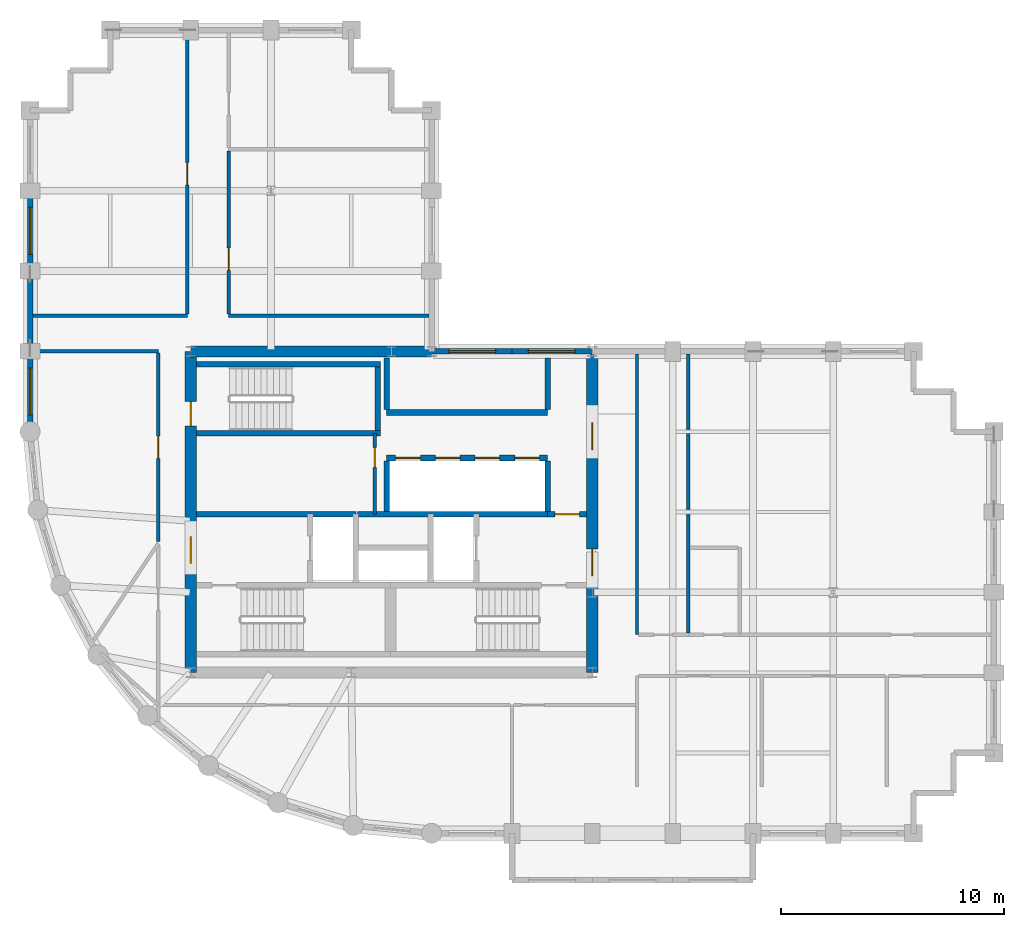
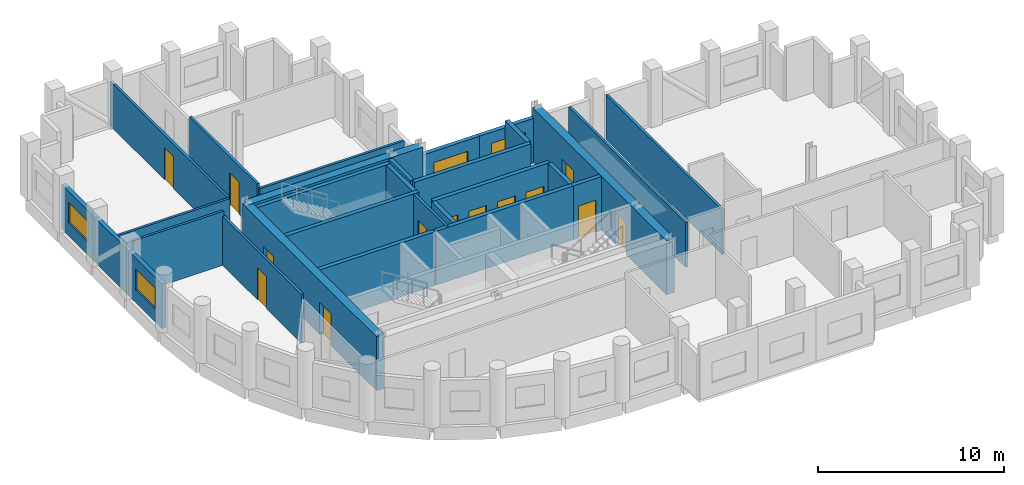
# One storey, part 4 of 7: 29 walls, 13 doors, 4 windows, 17 openings.
"""IFC4 building model written with IfcOpenShell, lengths in metres."""

from ifc_helpers import new_model, si_unit, direction, frame, frame_2d, origin, place, context, subcontext, project, spatial, rectangle, extrude, material, layer, layer_set, type_object, element, fill, save


model = new_model("IFC4")

# Units and contexts
model_context = context("Model", 3, precision=1e-05, world=origin(), true_north=direction((0.0, 1.0)))
body_context = subcontext(model_context, "Body", "Model", "MODEL_VIEW")
ifc_project = project(units=[si_unit("LENGTHUNIT", "METRE"), si_unit("AREAUNIT", "SQUARE_METRE"), si_unit("VOLUMEUNIT", "CUBIC_METRE"), si_unit("PLANEANGLEUNIT", "RADIAN"), si_unit("MASSUNIT", "GRAM", prefix="KILO")], contexts=[model_context])

# Site, building, storey
site_placement = place(None, origin())
site = spatial("IfcSite", under=ifc_project, at=site_placement, CompositionType="ELEMENT")
building_placement = place(site_placement, origin())
building = spatial("IfcBuilding", under=site, at=building_placement, Name="Solnavia Interchange Tower", CompositionType="ELEMENT")
storey_placement = place(building_placement, frame((0.0, 0.0, 201.39990234375)))
storey = spatial("IfcBuildingStorey", under=building, at=storey_placement, Name="L50", CompositionType="ELEMENT", Elevation=201.39990234375)

# Wall, opening, window
ifc_material_1 = material(Name="Concrete C40/50", Category="concrete")
ifc_layer_1 = layer(ifc_material_1, 0.25)
ifc_layer_set_1 = layer_set([ifc_layer_1], Name="Concrete C40/50")
wall_type_1 = type_object("IfcWallType", Name="Wall-ExtSpandrel-250", PredefinedType="STANDARD", material=ifc_layer_set_1)
wall_1_placement = place(storey_placement, frame((28.800048828125, 25.199951171875, 0.0), z_axis=(0.0, 0.0, 1.0), x_axis=(1.0, 0.0, 0.0)))
wall_1 = element("IfcWall", 1, at=wall_1_placement, inside=storey, type_object=wall_type_1, Name="EXW-L50-25 Exterior precast spandrel wall", PredefinedType="STANDARD", context=body_context, shape_type="SweptSolid", body=[
    extrude(rectangle(XDim=3.599853515625, YDim=0.25, at=frame_2d((1.7998046875, 0.0))), origin(), (0.0, 0.0, 1.0), 2.93017578125),
])
opening_1_placement = place(wall_1_placement, frame((0.73388671875, 0.0, 0.85009765625)))
opening_1 = element("IfcOpeningElement", 2, at=opening_1_placement, cuts=wall_1, Name="Opening WIN-01", PredefinedType="OPENING", context=body_context, shape_type="SweptSolid", body=[
    extrude(rectangle(XDim=2.10009765625, YDim=1.35009765625, at=frame_2d((1.050048828125, 0.675048828125))), frame((0.0, 0.135009765625, 0.0), z_axis=(0.0, -1.0, 0.0), x_axis=(1.0, 0.0, 0.0)), (0.0, 0.0, 1.0), 0.27001953125),
])
ifc_material_2 = material(Name="Thermal-Break Aluminium & Low-E Glass", Category="aluminium")
window_type = type_object("IfcWindowType", Name="Window-Ribbon-2100x1350", PartitioningType="SINGLE_PANEL", PredefinedType="WINDOW", material=ifc_material_2)
window_1_placement = place(opening_1_placement, origin())
window_1 = element("IfcWindow", 3, at=window_1_placement, inside=storey, type_object=window_type, Name="WIN-L50-25 Facade ribbon window", OverallHeight=1.35009765625, OverallWidth=2.10009765625, PartitioningType="SINGLE_PANEL", PredefinedType="WINDOW", context=body_context, shape_type="SweptSolid", body=[
    extrude(rectangle(XDim=2.10009765625, YDim=1.35009765625, at=frame_2d((1.050048828125, 0.675048828125))), frame((0.0, 0.030029296875, 0.0), z_axis=(0.0, -1.0, 0.0), x_axis=(1.0, 0.0, 0.0)), (0.0, 0.0, 1.0), 0.06005859375),
])
fill(opening_1, window_1)

wall_2_placement = place(storey_placement, frame((25.199951171875, 25.199951171875, 0.0), z_axis=(0.0, 0.0, 1.0), x_axis=(1.0, 0.0, 0.0)))
wall_2 = element("IfcWall", 4, at=wall_2_placement, inside=storey, type_object=wall_type_1, Name="EXW-L50-26 Exterior precast spandrel wall", PredefinedType="STANDARD", context=body_context, shape_type="SweptSolid", body=[
    extrude(rectangle(XDim=3.60009765625, YDim=0.25, at=frame_2d((1.800048828125, 0.0))), origin(), (0.0, 0.0, 1.0), 2.93017578125),
])
opening_2_placement = place(wall_2_placement, frame((0.76611328125, 0.0, 0.85009765625)))
opening_2 = element("IfcOpeningElement", 5, at=opening_2_placement, cuts=wall_2, Name="Opening WIN-01", PredefinedType="OPENING", context=body_context, shape_type="SweptSolid", body=[
    extrude(rectangle(XDim=2.10009765625, YDim=1.35009765625, at=frame_2d((1.050048828125, 0.675048828125))), frame((0.0, 0.135009765625, 0.0), z_axis=(0.0, -1.0, 0.0), x_axis=(1.0, 0.0, 0.0)), (0.0, 0.0, 1.0), 0.27001953125),
])
window_2_placement = place(opening_2_placement, origin())
window_2 = element("IfcWindow", 6, at=window_2_placement, inside=storey, type_object=window_type, Name="WIN-L50-26 Facade ribbon window", OverallHeight=1.35009765625, OverallWidth=2.10009765625, PartitioningType="SINGLE_PANEL", PredefinedType="WINDOW", context=body_context, shape_type="SweptSolid", body=[
    extrude(rectangle(XDim=2.10009765625, YDim=1.35009765625, at=frame_2d((1.050048828125, 0.675048828125))), frame((0.0, 0.030029296875, 0.0), z_axis=(0.0, -1.0, 0.0), x_axis=(1.0, 0.0, 0.0)), (0.0, 0.0, 1.0), 0.06005859375),
])
fill(opening_2, window_2)

wall_3_placement = place(storey_placement, frame((7.199951171875, 28.800048828125, 0.0), z_axis=(0.0, 0.0, 1.0), x_axis=(0.0, 1.0, 0.0)))
wall_3 = element("IfcWall", 7, at=wall_3_placement, inside=storey, type_object=wall_type_1, Name="EXW-L50-42 Exterior precast spandrel wall", PredefinedType="STANDARD", context=body_context, shape_type="SweptSolid", body=[
    extrude(rectangle(XDim=3.599853515625, YDim=0.25, at=frame_2d((1.7998046875, 0.0))), origin(), (0.0, 0.0, 1.0), 2.93017578125),
])
opening_3_placement = place(wall_3_placement, frame((0.75, 0.0, 0.85009765625)))
opening_3 = element("IfcOpeningElement", 8, at=opening_3_placement, cuts=wall_3, Name="Opening WIN-01", PredefinedType="OPENING", context=body_context, shape_type="SweptSolid", body=[
    extrude(rectangle(XDim=2.10009765625, YDim=1.35009765625, at=frame_2d((1.050048828125, 0.675048828125))), frame((0.0, 0.135009765625, 0.0), z_axis=(0.0, -1.0, 0.0), x_axis=(1.0, 0.0, 0.0)), (0.0, 0.0, 1.0), 0.27001953125),
])
window_3_placement = place(opening_3_placement, origin())
window_3 = element("IfcWindow", 9, at=window_3_placement, inside=storey, type_object=window_type, Name="WIN-L50-42 Facade ribbon window", OverallHeight=1.35009765625, OverallWidth=2.10009765625, PartitioningType="SINGLE_PANEL", PredefinedType="WINDOW", context=body_context, shape_type="SweptSolid", body=[
    extrude(rectangle(XDim=2.10009765625, YDim=1.35009765625, at=frame_2d((1.050048828125, 0.675048828125))), frame((0.0, 0.030029296875, 0.0), z_axis=(0.0, -1.0, 0.0), x_axis=(1.0, 0.0, 0.0)), (0.0, 0.0, 1.0), 0.06005859375),
])
fill(opening_3, window_3)

# Wall
wall_4_placement = place(storey_placement, frame((7.199951171875, 25.199951171875, 0.0), z_axis=(0.0, 0.0, 1.0), x_axis=(0.0, 1.0, 0.0)))
element("IfcWall", 10, at=wall_4_placement, inside=storey, type_object=wall_type_1, Name="EXW-L50-43 Exterior precast spandrel wall", PredefinedType="STANDARD", context=body_context, shape_type="SweptSolid", body=[
    extrude(rectangle(XDim=3.60009765625, YDim=0.25, at=frame_2d((1.800048828125, 0.0))), origin(), (0.0, 0.0, 1.0), 2.93017578125),
])

# Wall, opening, window
wall_5_placement = place(storey_placement, frame((7.199951171875, 21.60009765625, 0.0), z_axis=(0.0, 0.0, 1.0), x_axis=(0.0, 1.0, 0.0)))
wall_5 = element("IfcWall", 11, at=wall_5_placement, inside=storey, type_object=wall_type_1, Name="EXW-L50-44 Exterior precast spandrel wall", PredefinedType="STANDARD", context=body_context, shape_type="SweptSolid", body=[
    extrude(rectangle(XDim=3.599853515625, YDim=0.25, at=frame_2d((1.7998046875, 0.0))), origin(), (0.0, 0.0, 1.0), 2.93017578125),
])
opening_4_placement = place(wall_5_placement, frame((0.75, 0.0, 0.85009765625)))
opening_4 = element("IfcOpeningElement", 12, at=opening_4_placement, cuts=wall_5, Name="Opening WIN-01", PredefinedType="OPENING", context=body_context, shape_type="SweptSolid", body=[
    extrude(rectangle(XDim=2.10009765625, YDim=1.35009765625, at=frame_2d((1.050048828125, 0.675048828125))), frame((0.0, 0.135009765625, 0.0), z_axis=(0.0, -1.0, 0.0), x_axis=(1.0, 0.0, 0.0)), (0.0, 0.0, 1.0), 0.27001953125),
])
window_4_placement = place(opening_4_placement, origin())
window_4 = element("IfcWindow", 13, at=window_4_placement, inside=storey, type_object=window_type, Name="WIN-L50-44 Facade ribbon window", OverallHeight=1.35009765625, OverallWidth=2.10009765625, PartitioningType="SINGLE_PANEL", PredefinedType="WINDOW", context=body_context, shape_type="SweptSolid", body=[
    extrude(rectangle(XDim=2.10009765625, YDim=1.35009765625, at=frame_2d((1.050048828125, 0.675048828125))), frame((0.0, 0.030029296875, 0.0), z_axis=(0.0, -1.0, 0.0), x_axis=(1.0, 0.0, 0.0)), (0.0, 0.0, 1.0), 0.06005859375),
])
fill(opening_4, window_4)

# Wall, opening, door
ifc_material_3 = material(Name="Gypsum Plasterboard & Steel Stud", Category="steel")
ifc_layer_2 = layer(ifc_material_3, 0.14990234375)
ifc_layer_set_2 = layer_set([ifc_layer_2], Name="Gypsum Plasterboard & Steel Stud")
wall_type_2 = type_object("IfcWallType", Name="Wall-Partition-150", PredefinedType="PARTITIONING", material=ifc_layer_set_2)
wall_6_placement = place(storey_placement, frame((22.64990234375, 17.89990234375, 0.0), z_axis=(0.0, 0.0, 1.0), x_axis=(0.0, 1.0, 0.0)))
wall_6 = element("IfcWall", 14, at=wall_6_placement, inside=storey, type_object=wall_type_2, Name="CSW-L50-E Core shaft wall", PredefinedType="PARTITIONING", context=body_context, shape_type="SweptSolid", body=[
    extrude(rectangle(XDim=3.625, YDim=0.14990234375, at=frame_2d((1.8125, 0.0))), origin(), (0.0, 0.0, 1.0), 3.53515625),
])
opening_5_placement = place(wall_6_placement, frame((2.10009765625, 0.0, 0.0)))
opening_5 = element("IfcOpeningElement", 15, at=opening_5_placement, cuts=wall_6, Name="Opening DR-09", PredefinedType="OPENING", context=body_context, shape_type="SweptSolid", body=[
    extrude(rectangle(XDim=0.89990234375, YDim=2.10009765625, at=frame_2d((0.449951171875, 1.050048828125))), frame((0.0, 0.0849609375, 0.0), z_axis=(0.0, -1.0, 0.0), x_axis=(1.0, 0.0, 0.0)), (0.0, 0.0, 1.0), 0.169921875),
])
ifc_material_4 = material(Name="Engineered Oak Veneer Door", Category="wood")
door_type_1 = type_object("IfcDoorType", Name="Door-Internal-900x2100", OperationType="SINGLE_SWING_LEFT", PredefinedType="DOOR", material=ifc_material_4)
door_1_placement = place(opening_5_placement, origin())
door_1 = element("IfcDoor", 16, at=door_1_placement, inside=storey, type_object=door_type_1, Name="DR-L50-CS1 Core fire door", OperationType="SINGLE_SWING_LEFT", OverallHeight=2.10009765625, OverallWidth=0.89990234375, PredefinedType="DOOR", context=body_context, shape_type="SweptSolid", body=[
    extrude(rectangle(XDim=0.89990234375, YDim=2.10009765625, at=frame_2d((0.449951171875, 1.050048828125))), frame((0.0, 0.02490234375, 0.0), z_axis=(0.0, -1.0, 0.0), x_axis=(1.0, 0.0, 0.0)), (0.0, 0.0, 1.0), 0.050048828125),
])
fill(opening_5, door_1)

# Wall
wall_7_placement = place(storey_placement, frame((7.3291015625, 25.199951171875, 0.0), z_axis=(0.0, 0.0, 1.0), x_axis=(1.0, 0.0, 0.0)))
element("IfcWall", 17, at=wall_7_placement, inside=storey, type_object=wall_type_2, Name="PTW-L50-07 Interior partition wall", PredefinedType="PARTITIONING", context=body_context, shape_type="SweptSolid", body=[
    extrude(rectangle(XDim=5.620849609375, YDim=0.14990234375, at=frame_2d((2.810546875, 0.0))), origin(), (0.0, 0.0, 1.0), 3.53515625),
])

# Wall, opening, door
wall_8_placement = place(storey_placement, frame((12.949951171875, 16.678955078125, 0.0), z_axis=(0.0, 0.0, 1.0), x_axis=(0.0, 1.0, 0.0)))
wall_8 = element("IfcWall", 18, at=wall_8_placement, inside=storey, type_object=wall_type_2, Name="PTW-L50-11 Interior partition wall", PredefinedType="PARTITIONING", context=body_context, shape_type="SweptSolid", body=[
    extrude(rectangle(XDim=8.442138671875, YDim=0.14990234375, at=frame_2d((4.22119140625, 0.0))), origin(), (0.0, 0.0, 1.0), 3.22021484375),
])
opening_6_placement = place(wall_8_placement, frame((3.720947265625, 0.0, 0.0)))
opening_6 = element("IfcOpeningElement", 19, at=opening_6_placement, cuts=wall_8, Name="Opening DR-07", PredefinedType="OPENING", context=body_context, shape_type="SweptSolid", body=[
    extrude(rectangle(XDim=1.0, YDim=2.10009765625, at=frame_2d((0.5, 1.050048828125))), frame((0.0, 0.0849609375, 0.0), z_axis=(0.0, -1.0, 0.0), x_axis=(1.0, 0.0, 0.0)), (0.0, 0.0, 1.0), 0.169921875),
])
ifc_material_5 = material(Name="Timber & Acoustic Glazed Office Door", Category="wood")
door_type_2 = type_object("IfcDoorType", Name="Door-Office-1000x2100", OperationType="SINGLE_SWING_RIGHT", PredefinedType="DOOR", material=ifc_material_5)
door_2_placement = place(opening_6_placement, origin())
door_2 = element("IfcDoor", 20, at=door_2_placement, inside=storey, type_object=door_type_2, Name="DR-L50-03 Interior room door", OperationType="SINGLE_SWING_LEFT", OverallHeight=2.10009765625, OverallWidth=1.0, PredefinedType="DOOR", context=body_context, shape_type="SweptSolid", body=[
    extrude(rectangle(XDim=1.0, YDim=2.10009765625, at=frame_2d((0.5, 1.050048828125))), frame((0.0, 0.02490234375, 0.0), z_axis=(0.0, -1.0, 0.0), x_axis=(1.0, 0.0, 0.0)), (0.0, 0.0, 1.0), 0.050048828125),
])
fill(opening_6, door_2)

# Wall
wall_9_placement = place(storey_placement, frame((7.3291015625, 26.800048828125, 0.0), z_axis=(0.0, 0.0, 1.0), x_axis=(1.0, 0.0, 0.0)))
element("IfcWall", 21, at=wall_9_placement, inside=storey, type_object=wall_type_2, Name="PTW-L50-22 Interior partition wall", PredefinedType="PARTITIONING", context=body_context, shape_type="SweptSolid", body=[
    extrude(rectangle(XDim=6.9208984375, YDim=0.14990234375, at=frame_2d((3.46044921875, 0.0))), origin(), (0.0, 0.0, 1.0), 2.93017578125),
])

# Wall, opening, door
wall_10_placement = place(storey_placement, frame((14.25, 26.87890625, 0.0), z_axis=(0.0, 0.0, 1.0), x_axis=(0.0, 1.0, 0.0)))
wall_10 = element("IfcWall", 22, at=wall_10_placement, inside=storey, type_object=wall_type_2, Name="PTW-L50-23 Interior partition wall", PredefinedType="PARTITIONING", context=body_context, shape_type="SweptSolid", body=[
    extrude(rectangle(XDim=12.592041015625, YDim=0.14990234375, at=frame_2d((6.2958984375, 0.0))), origin(), (0.0, 0.0, 1.0), 2.93017578125),
])
opening_7_placement = place(wall_10_placement, frame((5.781005859375, 0.0, 0.0)))
opening_7 = element("IfcOpeningElement", 23, at=opening_7_placement, cuts=wall_10, Name="Opening DR-07", PredefinedType="OPENING", context=body_context, shape_type="SweptSolid", body=[
    extrude(rectangle(XDim=1.0, YDim=2.10009765625, at=frame_2d((0.5, 1.050048828125))), frame((0.0, 0.0849609375, 0.0), z_axis=(0.0, -1.0, 0.0), x_axis=(1.0, 0.0, 0.0)), (0.0, 0.0, 1.0), 0.169921875),
])
door_3_placement = place(opening_7_placement, origin())
door_3 = element("IfcDoor", 24, at=door_3_placement, inside=storey, type_object=door_type_2, Name="DR-L50-11 Interior room door", OperationType="SINGLE_SWING_RIGHT", OverallHeight=2.10009765625, OverallWidth=1.0, PredefinedType="DOOR", context=body_context, shape_type="SweptSolid", body=[
    extrude(rectangle(XDim=1.0, YDim=2.10009765625, at=frame_2d((0.5, 1.050048828125))), frame((0.0, 0.02490234375, 0.0), z_axis=(0.0, -1.0, 0.0), x_axis=(1.0, 0.0, 0.0)), (0.0, 0.0, 1.0), 0.050048828125),
])
fill(opening_7, door_3)

# Wall
wall_11_placement = place(storey_placement, frame((16.10009765625, 26.800048828125, 0.0), z_axis=(0.0, 0.0, 1.0), x_axis=(1.0, 0.0, 0.0)))
element("IfcWall", 25, at=wall_11_placement, inside=storey, type_object=wall_type_2, Name="PTW-L50-24 Interior partition wall", PredefinedType="PARTITIONING", context=body_context, shape_type="SweptSolid", body=[
    extrude(rectangle(XDim=8.970947265625, YDim=0.14990234375, at=frame_2d((4.4853515625, 0.0))), origin(), (0.0, 0.0, 1.0), 2.93017578125),
])

# Wall, opening, door
wall_12_placement = place(storey_placement, frame((16.10009765625, 26.87890625, 0.0), z_axis=(0.0, 0.0, 1.0), x_axis=(0.0, 1.0, 0.0)))
wall_12 = element("IfcWall", 26, at=wall_12_placement, inside=storey, type_object=wall_type_2, Name="PTW-L50-26 Interior partition wall", PredefinedType="PARTITIONING", context=body_context, shape_type="SweptSolid", body=[
    extrude(rectangle(XDim=7.2919921875, YDim=0.14990234375, at=frame_2d((3.64599609375, 0.0))), origin(), (0.0, 0.0, 1.0), 3.170166015625),
])
opening_8_placement = place(wall_12_placement, frame((1.951904296875, 0.0, 0.0)))
opening_8 = element("IfcOpeningElement", 27, at=opening_8_placement, cuts=wall_12, Name="Opening DR-07", PredefinedType="OPENING", context=body_context, shape_type="SweptSolid", body=[
    extrude(rectangle(XDim=1.0, YDim=2.10009765625, at=frame_2d((0.5, 1.050048828125))), frame((0.0, 0.0849609375, 0.0), z_axis=(0.0, -1.0, 0.0), x_axis=(1.0, 0.0, 0.0)), (0.0, 0.0, 1.0), 0.169921875),
])
door_4_placement = place(opening_8_placement, origin())
door_4 = element("IfcDoor", 28, at=door_4_placement, inside=storey, type_object=door_type_2, Name="DR-L50-12 Interior room door", OperationType="SINGLE_SWING_LEFT", OverallHeight=2.10009765625, OverallWidth=1.0, PredefinedType="DOOR", context=body_context, shape_type="SweptSolid", body=[
    extrude(rectangle(XDim=1.0, YDim=2.10009765625, at=frame_2d((0.5, 1.050048828125))), frame((0.0, 0.02490234375, 0.0), z_axis=(0.0, -1.0, 0.0), x_axis=(1.0, 0.0, 0.0)), (0.0, 0.0, 1.0), 0.050048828125),
])
fill(opening_8, door_4)

# Walls
ifc_layer_3 = layer(ifc_material_1, 0.25)
ifc_layer_set_3 = layer_set([ifc_layer_3], Name="Concrete C40/50")
wall_type_3 = type_object("IfcWallType", Name="Wall-ShaftCore-250", PredefinedType="SHEAR", material=ifc_layer_set_3)
for number, where, z_axis, x_axis, name in (
    (29, (14.64990234375, 21.52490234375, 0.0), (0.0, 0.0, 1.0), (1.0, 0.0, 0.0), "SHW-L50-ST3S Core shear wall"),
    (30, (14.64990234375, 24.614990234375, 0.0), (0.0, 0.0, 1.0), (1.0, 0.0, 0.0), "SHW-L50-ST3N Core shear wall"),
):
    element("IfcWall", number, at=place(storey_placement, frame(where, z_axis=z_axis, x_axis=x_axis)), inside=storey, type_object=wall_type_3, Name=name, PredefinedType="SHEAR", context=body_context, shape_type="SweptSolid", body=[
        extrude(rectangle(XDim=8.25, YDim=0.25, at=frame_2d((4.125, 0.0))), origin(), (0.0, 0.0, 1.0), 3.550048828125),
    ])
wall_13_placement = place(storey_placement, frame((22.77490234375, 21.64990234375, 0.0), z_axis=(0.0, 0.0, 1.0), x_axis=(0.0, 1.0, 0.0)))
element("IfcWall", 31, at=wall_13_placement, inside=storey, type_object=wall_type_3, Name="SHW-L50-ST3E Core shear wall", PredefinedType="SHEAR", context=body_context, shape_type="SweptSolid", body=[
    extrude(rectangle(XDim=2.840087890625, YDim=0.25, at=frame_2d((1.419921875, 0.0))), origin(), (0.0, 0.0, 1.0), 3.550048828125),
])
ifc_layer_4 = layer(ifc_material_1, 0.25)
ifc_layer_set_4 = layer_set([ifc_layer_4], Name="Concrete C40/50")
wall_type_4 = type_object("IfcWallType", Name="Wall-ShaftPart-250", PredefinedType="PARTITIONING", material=ifc_layer_set_4)
wall_14_placement = place(storey_placement, frame((14.64990234375, 17.89990234375, 0.0), z_axis=(0.0, 0.0, 1.0), x_axis=(1.0, 0.0, 0.0)))
element("IfcWall", 32, at=wall_14_placement, inside=storey, type_object=wall_type_4, Name="SHW-L50-FFLW-N Core shaft wall", PredefinedType="PARTITIONING", context=body_context, shape_type="SweptSolid", body=[
    extrude(rectangle(XDim=7.150146484375, YDim=0.25, at=frame_2d((3.5751953125, 0.0))), origin(), (0.0, 0.0, 1.0), 3.53515625),
])
wall_15_placement = place(storey_placement, frame((21.8798828125, 17.89990234375, 0.0), z_axis=(0.0, 0.0, 1.0), x_axis=(1.0, 0.0, 0.0)))
element("IfcWall", 33, at=wall_15_placement, inside=storey, type_object=wall_type_4, Name="SHW-L50-FFLE-N1 Core shaft wall", PredefinedType="PARTITIONING", context=body_context, shape_type="SweptSolid", body=[
    extrude(rectangle(XDim=8.52001953125, YDim=0.25, at=frame_2d((4.260009765625, 0.0))), origin(), (0.0, 0.0, 1.0), 3.53515625),
])

# Wall, opening, door
wall_16_placement = place(storey_placement, frame((30.39990234375, 17.89990234375, 0.0), z_axis=(0.0, 0.0, 1.0), x_axis=(1.0, 0.0, 0.0)))
wall_16 = element("IfcWall", 34, at=wall_16_placement, inside=storey, type_object=wall_type_4, Name="SHW-L50-FFLE-N2 Core shaft wall", PredefinedType="PARTITIONING", context=body_context, shape_type="SweptSolid", body=[
    extrude(rectangle(XDim=1.75, YDim=0.25, at=frame_2d((0.875, 0.0))), origin(), (0.0, 0.0, 1.0), 3.53515625),
])
opening_9_placement = place(wall_16_placement, frame((0.320068359375, 0.0, 0.0)))
opening_9 = element("IfcOpeningElement", 35, at=opening_9_placement, cuts=wall_16, Name="Opening DR-01", PredefinedType="OPENING", context=body_context, shape_type="SweptSolid", body=[
    extrude(rectangle(XDim=1.10009765625, YDim=2.10009765625, at=frame_2d((0.550048828125, 1.050048828125))), frame((0.0, 0.135009765625, 0.0), z_axis=(0.0, -1.0, 0.0), x_axis=(1.0, 0.0, 0.0)), (0.0, 0.0, 1.0), 0.27001953125),
])
ifc_material_6 = material(Name="Steel Fire-Rated Leaf & Frame", Category="steel")
door_type_3 = type_object("IfcDoorType", Name="Door-StairFire-1100x2100", OperationType="SINGLE_SWING_LEFT", PredefinedType="DOOR", material=ifc_material_6)
door_5_placement = place(opening_9_placement, origin())
door_5 = element("IfcDoor", 36, at=door_5_placement, inside=storey, type_object=door_type_3, Name="DR-L50-LLC Core fire door", OperationType="SINGLE_SWING_LEFT", OverallHeight=2.10009765625, OverallWidth=1.10009765625, PredefinedType="DOOR", context=body_context, shape_type="SweptSolid", body=[
    extrude(rectangle(XDim=1.10009765625, YDim=2.10009765625, at=frame_2d((0.550048828125, 1.050048828125))), frame((0.0, 0.02490234375, 0.0), z_axis=(0.0, -1.0, 0.0), x_axis=(1.0, 0.0, 0.0)), (0.0, 0.0, 1.0), 0.050048828125),
])
fill(opening_9, door_5)

# Wall, openings, doors
wall_17_placement = place(storey_placement, frame((23.179931640625, 20.419921875, 0.0), z_axis=(0.0, 0.0, 1.0), x_axis=(1.0, 0.0, 0.0)))
wall_17 = element("IfcWall", 37, at=wall_17_placement, inside=storey, type_object=wall_type_4, Name="SHW-L50-B2N Core shaft wall", PredefinedType="PARTITIONING", context=body_context, shape_type="SweptSolid", body=[
    extrude(rectangle(XDim=7.219970703125, YDim=0.25, at=frame_2d((3.60986328125, 0.0))), origin(), (0.0, 0.0, 1.0), 3.53515625),
])
opening_10_placement = place(wall_17_placement, frame((0.409912109375, 0.0, 0.0)))
opening_10 = element("IfcOpeningElement", 38, at=opening_10_placement, cuts=wall_17, Name="Opening LD-01", PredefinedType="OPENING", context=body_context, shape_type="SweptSolid", body=[
    extrude(rectangle(XDim=1.10009765625, YDim=2.10009765625, at=frame_2d((0.550048828125, 1.050048828125))), frame((0.0, 0.135009765625, 0.0), z_axis=(0.0, -1.0, 0.0), x_axis=(1.0, 0.0, 0.0)), (0.0, 0.0, 1.0), 0.27001953125),
])
opening_11_placement = place(wall_17_placement, frame((2.18994140625, 0.0, 0.0)))
opening_11 = element("IfcOpeningElement", 39, at=opening_11_placement, cuts=wall_17, Name="Opening LD-01", PredefinedType="OPENING", context=body_context, shape_type="SweptSolid", body=[
    extrude(rectangle(XDim=1.10009765625, YDim=2.10009765625, at=frame_2d((0.550048828125, 1.050048828125))), frame((0.0, 0.135009765625, 0.0), z_axis=(0.0, -1.0, 0.0), x_axis=(1.0, 0.0, 0.0)), (0.0, 0.0, 1.0), 0.27001953125),
])
opening_12_placement = place(wall_17_placement, frame((3.969970703125, 0.0, 0.0)))
opening_12 = element("IfcOpeningElement", 40, at=opening_12_placement, cuts=wall_17, Name="Opening LD-01", PredefinedType="OPENING", context=body_context, shape_type="SweptSolid", body=[
    extrude(rectangle(XDim=1.10009765625, YDim=2.10009765625, at=frame_2d((0.550048828125, 1.050048828125))), frame((0.0, 0.135009765625, 0.0), z_axis=(0.0, -1.0, 0.0), x_axis=(1.0, 0.0, 0.0)), (0.0, 0.0, 1.0), 0.27001953125),
])
opening_13_placement = place(wall_17_placement, frame((5.75, 0.0, 0.0)))
opening_13 = element("IfcOpeningElement", 41, at=opening_13_placement, cuts=wall_17, Name="Opening LD-01", PredefinedType="OPENING", context=body_context, shape_type="SweptSolid", body=[
    extrude(rectangle(XDim=1.10009765625, YDim=2.10009765625, at=frame_2d((0.550048828125, 1.050048828125))), frame((0.0, 0.135009765625, 0.0), z_axis=(0.0, -1.0, 0.0), x_axis=(1.0, 0.0, 0.0)), (0.0, 0.0, 1.0), 0.27001953125),
])
ifc_material_7 = material(Name="Brushed Stainless Steel Sliding Door", Category="steel")
door_type_4 = type_object("IfcDoorType", Name="Door-LiftLanding-1100x2100", OperationType="SLIDING_TO_LEFT", PredefinedType="DOOR", material=ifc_material_7)
door_6_placement = place(opening_10_placement, origin())
door_6 = element("IfcDoor", 42, at=door_6_placement, inside=storey, type_object=door_type_4, Name="LD-L50-B2-1 Lift landing sliding door", OperationType="SLIDING_TO_LEFT", OverallHeight=2.10009765625, OverallWidth=1.10009765625, PredefinedType="DOOR", context=body_context, shape_type="SweptSolid", body=[
    extrude(rectangle(XDim=1.10009765625, YDim=2.10009765625, at=frame_2d((0.550048828125, 1.050048828125))), frame((0.0, 0.02490234375, 0.0), z_axis=(0.0, -1.0, 0.0), x_axis=(1.0, 0.0, 0.0)), (0.0, 0.0, 1.0), 0.050048828125),
])
fill(opening_10, door_6)
door_7_placement = place(opening_11_placement, origin())
door_7 = element("IfcDoor", 43, at=door_7_placement, inside=storey, type_object=door_type_4, Name="LD-L50-B2-2 Lift landing sliding door", OperationType="SLIDING_TO_LEFT", OverallHeight=2.10009765625, OverallWidth=1.10009765625, PredefinedType="DOOR", context=body_context, shape_type="SweptSolid", body=[
    extrude(rectangle(XDim=1.10009765625, YDim=2.10009765625, at=frame_2d((0.550048828125, 1.050048828125))), frame((0.0, 0.02490234375, 0.0), z_axis=(0.0, -1.0, 0.0), x_axis=(1.0, 0.0, 0.0)), (0.0, 0.0, 1.0), 0.050048828125),
])
fill(opening_11, door_7)
door_8_placement = place(opening_12_placement, origin())
door_8 = element("IfcDoor", 44, at=door_8_placement, inside=storey, type_object=door_type_4, Name="LD-L50-B2-3 Lift landing sliding door", OperationType="SLIDING_TO_LEFT", OverallHeight=2.10009765625, OverallWidth=1.10009765625, PredefinedType="DOOR", context=body_context, shape_type="SweptSolid", body=[
    extrude(rectangle(XDim=1.10009765625, YDim=2.10009765625, at=frame_2d((0.550048828125, 1.050048828125))), frame((0.0, 0.02490234375, 0.0), z_axis=(0.0, -1.0, 0.0), x_axis=(1.0, 0.0, 0.0)), (0.0, 0.0, 1.0), 0.050048828125),
])
fill(opening_12, door_8)
door_9_placement = place(opening_13_placement, origin())
door_9 = element("IfcDoor", 45, at=door_9_placement, inside=storey, type_object=door_type_4, Name="LD-L50-B2-4 Lift landing sliding door", OperationType="SLIDING_TO_LEFT", OverallHeight=2.10009765625, OverallWidth=1.10009765625, PredefinedType="DOOR", context=body_context, shape_type="SweptSolid", body=[
    extrude(rectangle(XDim=1.10009765625, YDim=2.10009765625, at=frame_2d((0.550048828125, 1.050048828125))), frame((0.0, 0.02490234375, 0.0), z_axis=(0.0, -1.0, 0.0), x_axis=(1.0, 0.0, 0.0)), (0.0, 0.0, 1.0), 0.050048828125),
])
fill(opening_13, door_9)

# Walls
for number, where, z_axis, x_axis, name in (
    (46, (23.179931640625, 18.02490234375, 0.0), (0.0, 0.0, 1.0), (0.0, 1.0, 0.0), "SHW-L50-B2W Core shaft wall"),
    (47, (30.39990234375, 18.02490234375, 0.0), (0.0, 0.0, 1.0), (0.0, 1.0, 0.0), "SHW-L50-B2E Core shaft wall"),
):
    element("IfcWall", number, at=place(storey_placement, frame(where, z_axis=z_axis, x_axis=x_axis)), inside=storey, type_object=wall_type_4, Name=name, PredefinedType="PARTITIONING", context=body_context, shape_type="SweptSolid", body=[
        extrude(rectangle(XDim=2.27001953125, YDim=0.25, at=frame_2d((1.135009765625, 0.0))), origin(), (0.0, 0.0, 1.0), 3.53515625),
    ])
wall_18_placement = place(storey_placement, frame((23.179931640625, 22.4599609375, 0.0), z_axis=(0.0, 0.0, 1.0), x_axis=(1.0, 0.0, 0.0)))
element("IfcWall", 48, at=wall_18_placement, inside=storey, type_object=wall_type_4, Name="SHW-L50-B3S Core shaft wall", PredefinedType="PARTITIONING", context=body_context, shape_type="SweptSolid", body=[
    extrude(rectangle(XDim=7.219970703125, YDim=0.25, at=frame_2d((3.60986328125, 0.0))), origin(), (0.0, 0.0, 1.0), 3.53515625),
])
for number, where, z_axis, x_axis, name in (
    (49, (23.179931640625, 22.5849609375, 0.0), (0.0, 0.0, 1.0), (0.0, 1.0, 0.0), "SHW-L50-B3W Core shaft wall"),
    (50, (30.39990234375, 22.5849609375, 0.0), (0.0, 0.0, 1.0), (0.0, 1.0, 0.0), "SHW-L50-B3E Core shaft wall"),
):
    element("IfcWall", number, at=place(storey_placement, frame(where, z_axis=z_axis, x_axis=x_axis)), inside=storey, type_object=wall_type_4, Name=name, PredefinedType="PARTITIONING", context=body_context, shape_type="SweptSolid", body=[
        extrude(rectangle(XDim=2.31494140625, YDim=0.25, at=frame_2d((1.157470703125, 0.0))), origin(), (0.0, 0.0, 1.0), 3.53515625),
    ])
ifc_material_8 = material(Name="Concrete C60/75", Category="concrete")
ifc_layer_5 = layer(ifc_material_8, 0.5)
ifc_layer_set_5 = layer_set([ifc_layer_5], Name="Concrete C60/75")
wall_type_5 = type_object("IfcWallType", Name="Wall-ShearCore-500", PredefinedType="SHEAR", material=ifc_layer_set_5)
wall_19_placement = place(storey_placement, frame((14.39990234375, 25.199951171875, 0.0), z_axis=(0.0, 0.0, 1.0), x_axis=(1.0, 0.0, 0.0)))
element("IfcWall", 51, at=wall_19_placement, inside=storey, type_object=wall_type_5, Name="CRW-L50-N Core shear wall", PredefinedType="SHEAR", context=body_context, shape_type="SweptSolid", body=[
    extrude(rectangle(XDim=10.800048828125, YDim=0.5, at=frame_2d((5.39990234375, 0.0))), origin(), (0.0, 0.0, 1.0), 3.550048828125),
])

# Wall, openings, doors
wall_20_placement = place(storey_placement, frame((14.39990234375, 10.800048828125, 0.0), z_axis=(0.0, 0.0, 1.0), x_axis=(0.0, 1.0, 0.0)))
wall_20 = element("IfcWall", 52, at=wall_20_placement, inside=storey, type_object=wall_type_5, Name="CRW-L50-W Core shear wall", PredefinedType="SHEAR", context=body_context, shape_type="SweptSolid", body=[
    extrude(rectangle(XDim=14.39990234375, YDim=0.5, at=frame_2d((7.199951171875, 0.0))), origin(), (0.0, 0.0, 1.0), 3.550048828125),
])
opening_14_placement = place(wall_20_placement, frame((11.050048828125, 0.0, 0.0)))
opening_14 = element("IfcOpeningElement", 53, at=opening_14_placement, cuts=wall_20, Name="Opening DR-01", PredefinedType="OPENING", context=body_context, shape_type="SweptSolid", body=[
    extrude(rectangle(XDim=1.10009765625, YDim=2.10009765625, at=frame_2d((0.550048828125, 1.050048828125))), frame((0.0, 0.260009765625, 0.0), z_axis=(0.0, -1.0, 0.0), x_axis=(1.0, 0.0, 0.0)), (0.0, 0.0, 1.0), 0.52001953125),
])
opening_15_placement = place(wall_20_placement, frame((4.89990234375, 0.0, 0.0)))
opening_15 = element("IfcOpeningElement", 54, at=opening_15_placement, cuts=wall_20, Name="Opening DR-02", PredefinedType="OPENING", context=body_context, shape_type="SweptSolid", body=[
    extrude(rectangle(XDim=1.199951171875, YDim=2.10009765625, at=frame_2d((0.60009765625, 1.050048828125))), frame((0.0, 0.260009765625, 0.0), z_axis=(0.0, -1.0, 0.0), x_axis=(1.0, 0.0, 0.0)), (0.0, 0.0, 1.0), 0.52001953125),
])
ifc_material_9 = material(Name="Steel Fire-Rated Vision-Panel Door", Category="steel")
door_type_5 = type_object("IfcDoorType", Name="Door-LobbyFire-1200x2100", OperationType="SINGLE_SWING_RIGHT", PredefinedType="DOOR", material=ifc_material_9)
door_10_placement = place(opening_15_placement, origin())
door_10 = element("IfcDoor", 55, at=door_10_placement, inside=storey, type_object=door_type_5, Name="DR-L50-FFL1W Core fire door", OperationType="SINGLE_SWING_RIGHT", OverallHeight=2.10009765625, OverallWidth=1.199951171875, PredefinedType="DOOR", context=body_context, shape_type="SweptSolid", body=[
    extrude(rectangle(XDim=1.199951171875, YDim=2.10009765625, at=frame_2d((0.60009765625, 1.050048828125))), frame((0.0, 0.02490234375, 0.0), z_axis=(0.0, -1.0, 0.0), x_axis=(1.0, 0.0, 0.0)), (0.0, 0.0, 1.0), 0.050048828125),
])
fill(opening_15, door_10)
door_11_placement = place(opening_14_placement, origin())
door_11 = element("IfcDoor", 56, at=door_11_placement, inside=storey, type_object=door_type_3, Name="DR-L50-ST3 Core fire door", OperationType="SINGLE_SWING_RIGHT", OverallHeight=2.10009765625, OverallWidth=1.10009765625, PredefinedType="DOOR", context=body_context, shape_type="SweptSolid", body=[
    extrude(rectangle(XDim=1.10009765625, YDim=2.10009765625, at=frame_2d((0.550048828125, 1.050048828125))), frame((0.0, 0.02490234375, 0.0), z_axis=(0.0, -1.0, 0.0), x_axis=(1.0, 0.0, 0.0)), (0.0, 0.0, 1.0), 0.050048828125),
])
fill(opening_14, door_11)

wall_21_placement = place(storey_placement, frame((32.39990234375, 10.800048828125, 0.0), z_axis=(0.0, 0.0, 1.0), x_axis=(0.0, 1.0, 0.0)))
wall_21 = element("IfcWall", 57, at=wall_21_placement, inside=storey, type_object=wall_type_5, Name="CRW-L50-E Core shear wall", PredefinedType="SHEAR", context=body_context, shape_type="SweptSolid", body=[
    extrude(rectangle(XDim=14.39990234375, YDim=0.5, at=frame_2d((7.199951171875, 0.0))), origin(), (0.0, 0.0, 1.0), 3.550048828125),
])
opening_16_placement = place(wall_21_placement, frame((4.35009765625, 0.0, 0.0)))
opening_16 = element("IfcOpeningElement", 58, at=opening_16_placement, cuts=wall_21, Name="Opening DR-02", PredefinedType="OPENING", context=body_context, shape_type="SweptSolid", body=[
    extrude(rectangle(XDim=1.199951171875, YDim=2.10009765625, at=frame_2d((0.60009765625, 1.050048828125))), frame((0.0, 0.260009765625, 0.0), z_axis=(0.0, -1.0, 0.0), x_axis=(1.0, 0.0, 0.0)), (0.0, 0.0, 1.0), 0.52001953125),
])
opening_17_placement = place(wall_21_placement, frame((10.0, 0.0, 0.0)))
opening_17 = element("IfcOpeningElement", 59, at=opening_17_placement, cuts=wall_21, Name="Opening DR-02", PredefinedType="OPENING", context=body_context, shape_type="SweptSolid", body=[
    extrude(rectangle(XDim=1.199951171875, YDim=2.10009765625, at=frame_2d((0.60009765625, 1.050048828125))), frame((0.0, 0.260009765625, 0.0), z_axis=(0.0, -1.0, 0.0), x_axis=(1.0, 0.0, 0.0)), (0.0, 0.0, 1.0), 0.52001953125),
])
door_12_placement = place(opening_16_placement, origin())
door_12 = element("IfcDoor", 60, at=door_12_placement, inside=storey, type_object=door_type_5, Name="DR-L50-FFL2E Core fire door", OperationType="SINGLE_SWING_LEFT", OverallHeight=2.10009765625, OverallWidth=1.199951171875, PredefinedType="DOOR", context=body_context, shape_type="SweptSolid", body=[
    extrude(rectangle(XDim=1.199951171875, YDim=2.10009765625, at=frame_2d((0.60009765625, 1.050048828125))), frame((0.0, 0.02490234375, 0.0), z_axis=(0.0, -1.0, 0.0), x_axis=(1.0, 0.0, 0.0)), (0.0, 0.0, 1.0), 0.050048828125),
])
fill(opening_16, door_12)
door_13_placement = place(opening_17_placement, origin())
door_13 = element("IfcDoor", 61, at=door_13_placement, inside=storey, type_object=door_type_5, Name="DR-L50-LLE Core fire door", OperationType="SINGLE_SWING_RIGHT", OverallHeight=2.10009765625, OverallWidth=1.199951171875, PredefinedType="DOOR", context=body_context, shape_type="SweptSolid", body=[
    extrude(rectangle(XDim=1.199951171875, YDim=2.10009765625, at=frame_2d((0.60009765625, 1.050048828125))), frame((0.0, 0.02490234375, 0.0), z_axis=(0.0, -1.0, 0.0), x_axis=(1.0, 0.0, 0.0)), (0.0, 0.0, 1.0), 0.050048828125),
])
fill(opening_17, door_13)

# Walls
ifc_material_10 = material(Name="Moisture-Resistant Gypsum & Steel Stud", Category="steel")
ifc_layer_6 = layer(ifc_material_10, 0.14990234375)
ifc_layer_set_6 = layer_set([ifc_layer_6], Name="Moisture-Resistant Gypsum & Steel Stud")
wall_type_6 = type_object("IfcWallType", Name="Wall-WetRoom-150", PredefinedType="PARTITIONING", material=ifc_layer_set_6)
wall_22_placement = place(storey_placement, frame((34.39990234375, 12.5, 0.0), z_axis=(0.0, 0.0, 1.0), x_axis=(0.0, 1.0, 0.0)))
element("IfcWall", 62, at=wall_22_placement, inside=storey, type_object=wall_type_6, Name="PTW-L50-01 Interior partition wall", PredefinedType="PARTITIONING", context=body_context, shape_type="SweptSolid", body=[
    extrude(rectangle(XDim=12.571044921875, YDim=0.14990234375, at=frame_2d((6.28564453125, 0.0))), origin(), (0.0, 0.0, 1.0), 2.93017578125),
])
wall_23_placement = place(storey_placement, frame((36.699951171875, 12.5791015625, 0.0), z_axis=(0.0, 0.0, 1.0), x_axis=(0.0, 1.0, 0.0)))
element("IfcWall", 63, at=wall_23_placement, inside=storey, type_object=wall_type_6, Name="PTW-L50-03 Interior partition wall", PredefinedType="PARTITIONING", context=body_context, shape_type="SweptSolid", body=[
    extrude(rectangle(XDim=12.491943359375, YDim=0.14990234375, at=frame_2d((6.24609375, 0.0))), origin(), (0.0, 0.0, 1.0), 2.93017578125),
])

save(model, "model.ifc")
